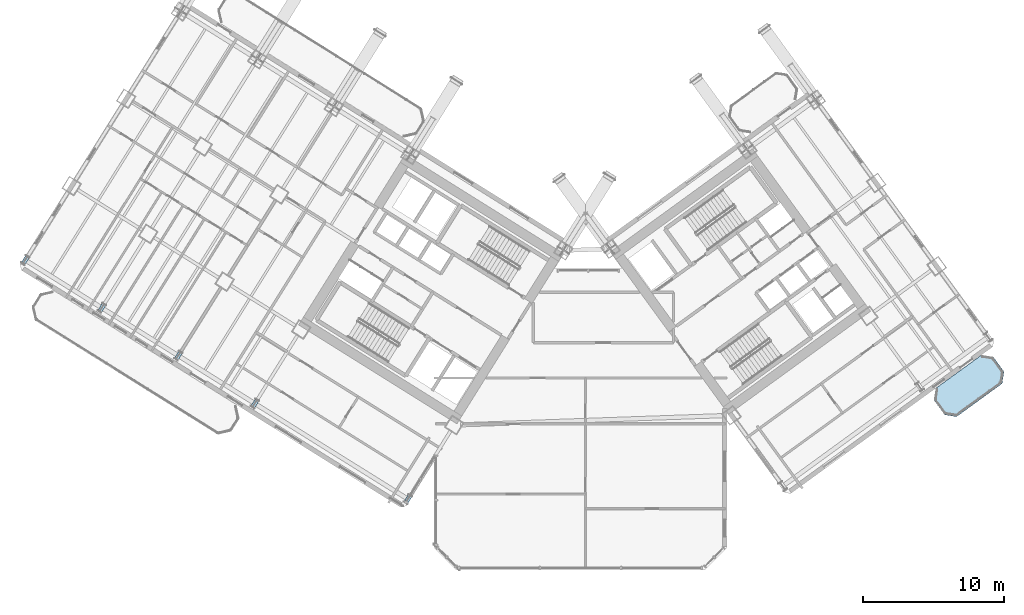
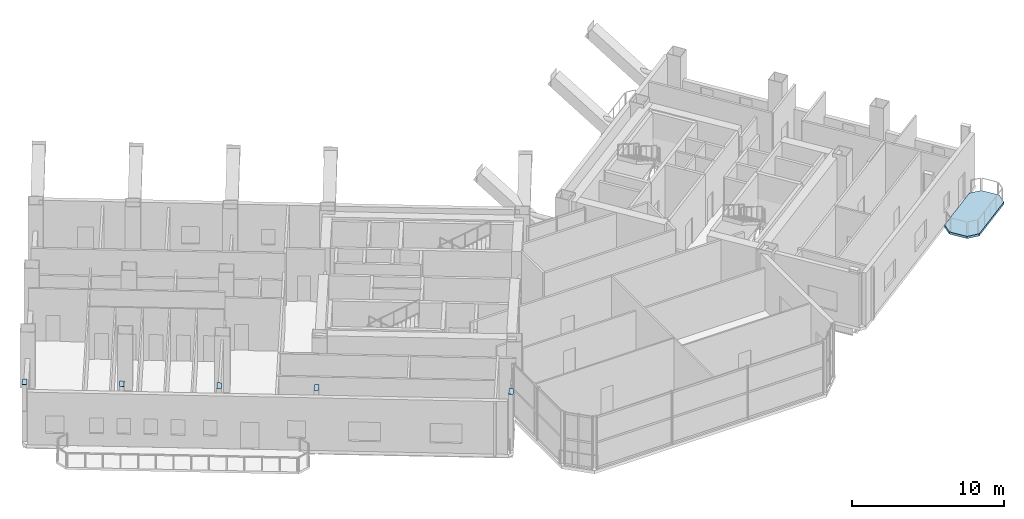
# One storey, part 16 of 30: 5 plates, 1 slab.
"""IFC4 building model written with IfcOpenShell, lengths in metres."""

from ifc_helpers import new_model, si_unit, direction, frame, origin, origin_2d, place, context, subcontext, project, spatial, polyline, rectangle, outline, extrude, source, transform, mapped, material, layer, layer_set, type_object, element, save


model = new_model("IFC4")

# Units and contexts
model_context = context("Model", 3, precision=1e-05, world=origin(), true_north=direction((0.0, 1.0)))
body_context = subcontext(model_context, "Body", "Model", "MODEL_VIEW")
ifc_project = project(units=[si_unit("LENGTHUNIT", "METRE"), si_unit("AREAUNIT", "SQUARE_METRE"), si_unit("VOLUMEUNIT", "CUBIC_METRE"), si_unit("PLANEANGLEUNIT", "RADIAN"), si_unit("MASSUNIT", "GRAM", prefix="KILO")], contexts=[model_context])

# Site, building, storey
site_placement = place(None, origin())
site = spatial("IfcSite", under=ifc_project, at=site_placement, CompositionType="ELEMENT")
building_placement = place(site_placement, origin())
building = spatial("IfcBuilding", under=site, at=building_placement, Name="Tlacorven Tower", CompositionType="ELEMENT")
storey_placement = place(building_placement, frame((0.0, 0.0, 67.199951171875)))
storey = spatial("IfcBuildingStorey", under=building, at=storey_placement, Name="L17", CompositionType="ELEMENT", Elevation=67.199951171875)

# Slab
ifc_material_1 = material(Name="Precast concrete C45/55", Category="concrete")
ifc_layer_1 = layer(ifc_material_1, 0.179931640625)
ifc_layer_set_1 = layer_set([ifc_layer_1], Name="Precast concrete C45/55")
slab_type = type_object("IfcSlabType", Name="SL-BAL-180", PredefinedType="USERDEFINED", material=ifc_layer_set_1)
slab_placement = place(storey_placement, frame((0.0, 0.0, -0.179931640625)))
element("IfcSlab", 1, at=slab_placement, inside=storey, type_object=slab_type, Name="L17 East Wing Balcony Ribbon OUT", ObjectType="BALCONY SLAB", PredefinedType="USERDEFINED", context=body_context, shape_type="SweptSolid", body=[
    extrude(outline(polyline([(68.669921875, 12.678955078125), (71.906005859375, 15.0302734375), (72.03857421875, 15.8681640625), (71.27734375, 16.916015625), (70.439453125, 17.048583984375), (67.203369140625, 14.697509765625), (67.070556640625, 13.859375), (67.831787109375, 12.811767578125), (68.669921875, 12.678955078125)])), origin(), (0.0, 0.0, 1.0), 0.179931640625),
])

# Plates
ifc_material_2 = material(Name="Steel S460M", Category="steel")
ifc_layer_2 = layer(ifc_material_2, 0.02392578125)
ifc_layer_set_2 = layer_set([ifc_layer_2], Name="Steel S460M")
plate_type = type_object("IfcPlateType", Name="PL-CAP-END1", PredefinedType="USERDEFINED", material=ifc_layer_set_2)
shared_shape = source(origin(), body_context, "Body", "SweptSolid", [
    extrude(rectangle(XDim=0.300048828125, YDim=0.64990234375, at=origin_2d()), origin(), (0.0, 0.0, 1.0), 0.02392578125),
])
for number, where, z_axis, x_axis, name in (
    (2, (29.7607421875, 6.8291015625, 4.498046875), (0.0, 0.0, 1.0), (-0.848048096156, 0.529919264233, 0.0), "L17 Hollow Column Top Cap Plate COL-L17-W1-4"),
    (3, (18.905517578125, 13.612060546875, 4.498046875), (0.0, 0.0, 1.0), (-0.848048096156, 0.529919264233, 0.0), "L17 Hollow Column Top Cap Plate COL-L17-W3-4"),
    (4, (13.47802734375, 17.00341796875, 4.498046875), (0.0, 0.0, 1.0), (-0.848048096156, 0.529919264233, 0.0), "L17 Hollow Column Top Cap Plate COL-L17-W4-4"),
    (5, (8.050537109375, 20.39501953125, 4.498046875), (0.0, 0.0, 1.0), (-0.848048096156, 0.529919264233, 0.0), "L17 Hollow Column Top Cap Plate COL-L17-W5-4"),
    (6, (2.623046875, 23.786376953125, 4.498046875), (0.0, 0.0, 1.0), (-0.848048096156, 0.529919264233, 0.0), "L17 Hollow Column Top Cap Plate COL-L17-W6-4"),
):
    element("IfcPlate", number, at=place(storey_placement, frame(where, z_axis=z_axis, x_axis=x_axis)), inside=storey, type_object=plate_type, Name=name, ObjectType="END PLATE", PredefinedType="USERDEFINED", context=body_context, shape_type="MappedRepresentation", body=[
        mapped(shared_shape, transform((0.0, 0.0, 0.0), scale=1.0)),
    ])

save(model, "model.ifc")
